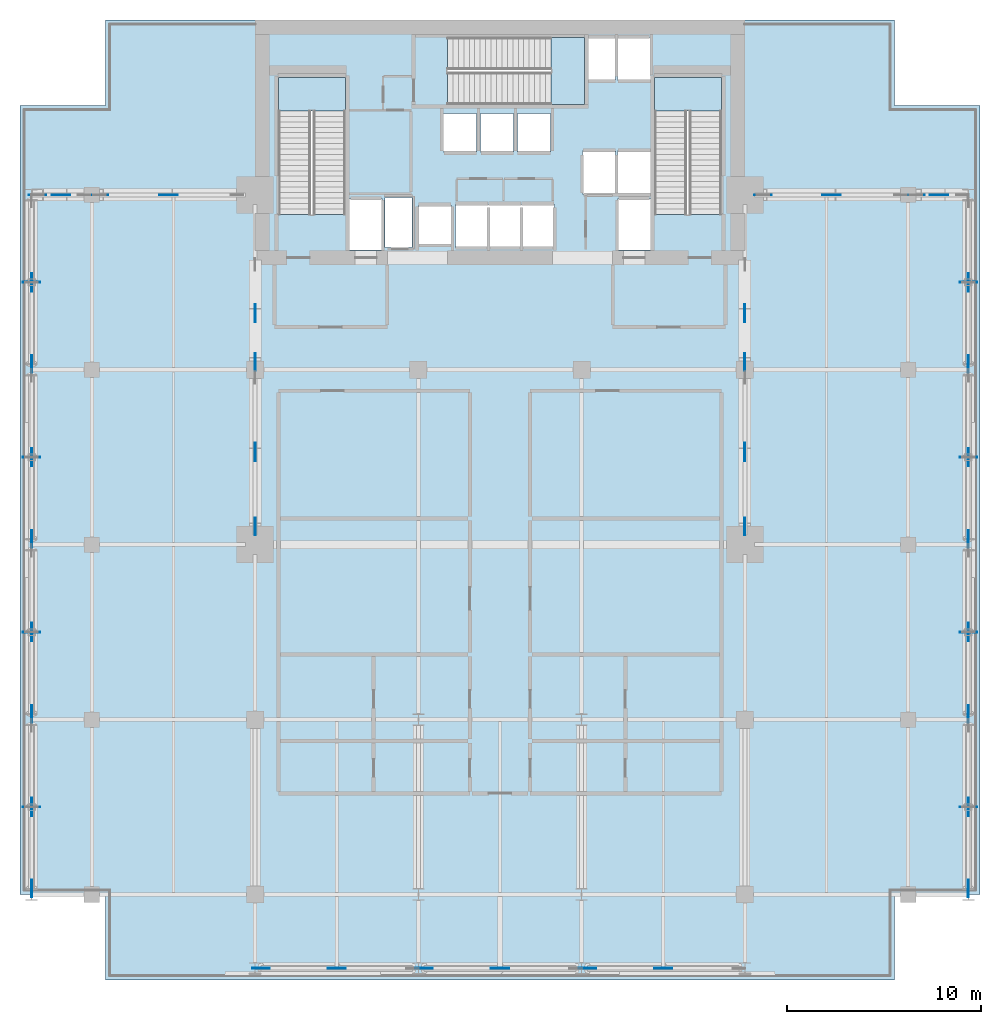
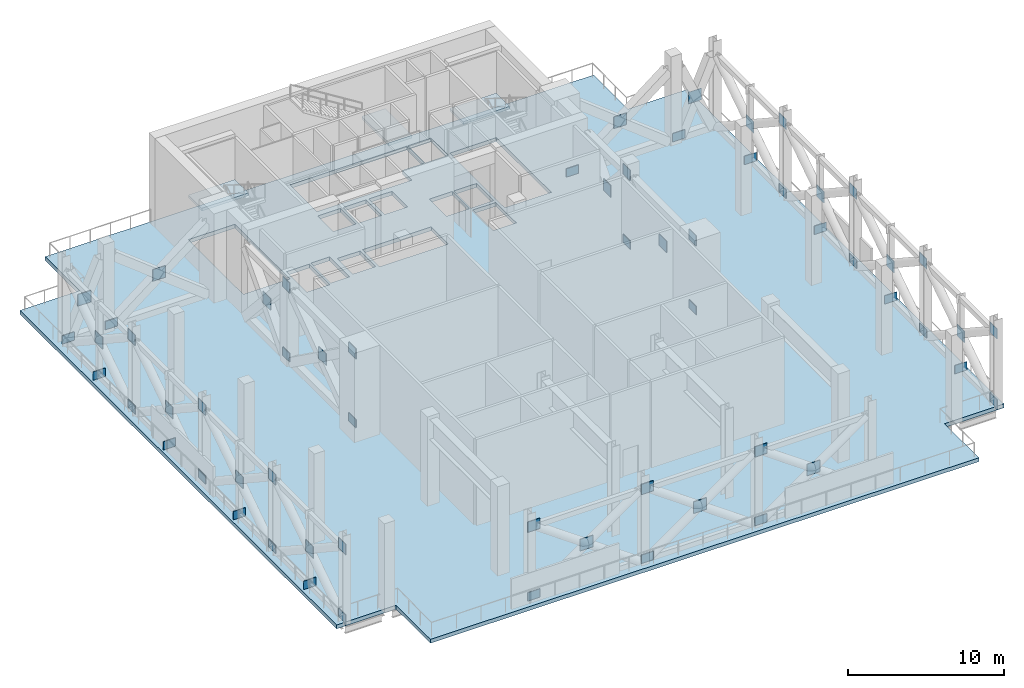
# One storey, part 5 of 14: 61 plates, 4 slabs, 3 elements without a shape of their own.
"""IFC4 building model written with IfcOpenShell, lengths in metres."""

from ifc_helpers import new_model, si_unit, direction, frame, origin, origin_2d, place, context, subcontext, project, spatial, polyline, rectangle, outline, extrude, material, layer, layer_set, type_object, element, aggregate, save


model = new_model("IFC4")

# Units and contexts
model_context = context("Model", 3, precision=1e-05, world=origin(), true_north=direction((0.0, 1.0)))
body_context = subcontext(model_context, "Body", "Model", "MODEL_VIEW")
ifc_project = project(units=[si_unit("LENGTHUNIT", "METRE"), si_unit("AREAUNIT", "SQUARE_METRE"), si_unit("VOLUMEUNIT", "CUBIC_METRE"), si_unit("PLANEANGLEUNIT", "RADIAN"), si_unit("MASSUNIT", "GRAM", prefix="KILO")], contexts=[model_context])

# Site, building, storey
site_placement = place(None, origin())
site = spatial("IfcSite", under=ifc_project, at=site_placement, CompositionType="ELEMENT")
building_placement = place(site_placement, origin())
building = spatial("IfcBuilding", under=site, at=building_placement, Name="Maruvema Waterfront Hotel and Observation Tower", CompositionType="ELEMENT")
storey_placement = place(building_placement, frame((0.0, 0.0, 227.5)))
storey = spatial("IfcBuildingStorey", under=building, at=storey_placement, Name="L56", CompositionType="ELEMENT", Elevation=227.5)

# Slab
ifc_material_1 = material(Name="Concrete C50/60", Category="concrete")
ifc_layer_1 = layer(ifc_material_1, 0.300048828125, Name="Reinforced Concrete Floor Slab 300 mm")
ifc_layer_set_1 = layer_set([ifc_layer_1], Name="Concrete C50/60")
slab_type_1 = type_object("IfcSlabType", Name="Reinforced Concrete Floor Slab 300 mm", PredefinedType="FLOOR", material=ifc_layer_set_1)
slab_1_placement = place(storey_placement, frame((0.0, 0.0, -0.300048828125)))
element("IfcSlab", 1, at=slab_1_placement, inside=storey, type_object=slab_type_1, Name="L56 Structural Floor Slab", PredefinedType="FLOOR", context=body_context, shape_type="SweptSolid", body=[
    extrude(outline(polyline([(17.5, 4.60009765625), (58.10009765625, 4.60009765625), (58.10009765625, 9.0), (62.5, 9.0), (62.5, 49.60009765625), (58.10009765625, 49.60009765625), (58.10009765625, 54.0), (17.5, 54.0), (17.5, 49.60009765625), (13.10009765625, 49.60009765625), (13.10009765625, 9.0), (17.5, 9.0), (17.5, 4.60009765625)]), holes=[polyline([(26.39990234375, 44.00048828125), (26.39990234375, 51.050048828125), (29.85009765625, 51.050048828125), (29.85009765625, 44.00048828125), (26.39990234375, 44.00048828125)]), polyline([(30.050048828125, 44.800048828125), (31.75, 44.800048828125), (31.75, 42.169921875), (30.050048828125, 42.169921875), (30.050048828125, 44.800048828125)]), polyline([(31.8798828125, 44.860107421875), (33.280029296875, 44.860107421875), (33.280029296875, 42.2900390625), (31.8798828125, 42.2900390625), (31.8798828125, 44.860107421875)]), polyline([(33.60009765625, 44.449951171875), (35.300048828125, 44.449951171875), (35.300048828125, 42.449951171875), (33.60009765625, 42.449951171875), (33.60009765625, 44.449951171875)]), polyline([(34.89990234375, 49.199951171875), (36.60009765625, 49.199951171875), (36.60009765625, 47.199951171875), (34.89990234375, 47.199951171875), (34.89990234375, 49.199951171875)]), polyline([(36.800048828125, 49.199951171875), (38.5, 49.199951171875), (38.5, 47.199951171875), (36.800048828125, 47.199951171875), (36.800048828125, 49.199951171875)]), polyline([(35.5, 42.300048828125), (35.5, 44.5), (40.60009765625, 44.5), (40.60009765625, 42.300048828125), (35.5, 42.300048828125)]), polyline([(35.1005859375, 53.10009765625), (43.75, 53.10009765625), (43.75, 50.89990234375), (42.14990234375, 50.89990234375), (42.14990234375, 49.64990234375), (35.1005859375, 49.64990234375), (35.1005859375, 53.10009765625)]), polyline([(38.699951171875, 49.199951171875), (40.39990234375, 49.199951171875), (40.39990234375, 47.199951171875), (38.699951171875, 47.199951171875), (38.699951171875, 49.199951171875)]), polyline([(42.050048828125, 47.25), (43.75, 47.25), (43.75, 45.050048828125), (42.050048828125, 45.050048828125), (42.050048828125, 47.25)]), polyline([(43.85009765625, 44.800048828125), (45.550048828125, 44.800048828125), (45.550048828125, 42.169921875), (43.85009765625, 42.169921875), (43.85009765625, 44.800048828125)]), polyline([(43.85009765625, 47.25), (45.550048828125, 47.25), (45.550048828125, 45.050048828125), (43.85009765625, 45.050048828125), (43.85009765625, 47.25)]), polyline([(45.550048828125, 53.10009765625), (45.550048828125, 50.89990234375), (43.85009765625, 50.89990234375), (43.85009765625, 53.10009765625), (45.550048828125, 53.10009765625)]), polyline([(45.75, 44.00048828125), (45.75, 51.050048828125), (49.199951171875, 51.050048828125), (49.199951171875, 44.00048828125), (45.75, 44.00048828125)])]), origin(), (0.0, 0.0, 1.0), 0.300048828125),
])

# Stair, slab
ifc_material_2 = material(Name="Concrete C50/60", Category="concrete")
stair_type = type_object("IfcStairType", Name="Dogleg Exit Stair 1650 mm (40R x 175.0 mm)", PredefinedType="HALF_TURN_STAIR", material=ifc_material_2)
stair_1_placement = place(storey_placement, origin())
stair_1 = element("IfcStair", 2, at=stair_1_placement, inside=storey, type_object=stair_type, Name="L56 ST-01", PredefinedType="HALF_TURN_STAIR")
ifc_material_3 = material(Name="Concrete C50/60", Category="concrete")
ifc_layer_2 = layer(ifc_material_3, 0.219970703125, Name="Stair Concrete Landing Slab 220 mm")
ifc_layer_set_2 = layer_set([ifc_layer_2], Name="Concrete C50/60")
slab_type_2 = type_object("IfcSlabType", Name="Stair Concrete Landing Slab 220 mm", PredefinedType="LANDING", material=ifc_layer_set_2)
slab_2_placement = place(storey_placement, frame((0.0, 0.0, 3.280029296875)))
slab_2 = element("IfcSlab", 3, at=slab_2_placement, type_object=slab_type_2, Name="ST-01 landing 1", PredefinedType="LANDING", context=body_context, shape_type="SweptSolid", body=[
    extrude(outline(polyline([(29.85009765625, 49.320068359375), (29.85009765625, 51.050048828125), (26.39990234375, 51.050048828125), (26.39990234375, 49.320068359375), (29.85009765625, 49.320068359375)])), origin(), (0.0, 0.0, 1.0), 0.219970703125),
])
aggregate(stair_1, [slab_2])

stair_2_placement = place(storey_placement, origin())
stair_2 = element("IfcStair", 4, at=stair_2_placement, inside=storey, type_object=stair_type, Name="L56 ST-02", PredefinedType="HALF_TURN_STAIR")
slab_3_placement = place(storey_placement, frame((0.0, 0.0, 3.280029296875)))
slab_3 = element("IfcSlab", 5, at=slab_3_placement, type_object=slab_type_2, Name="ST-02 landing 1", PredefinedType="LANDING", context=body_context, shape_type="SweptSolid", body=[
    extrude(outline(polyline([(40.419921875, 49.64990234375), (42.14990234375, 49.64990234375), (42.14990234375, 53.10009765625), (40.419921875, 53.10009765625), (40.419921875, 49.64990234375)])), origin(), (0.0, 0.0, 1.0), 0.219970703125),
])
aggregate(stair_2, [slab_3])

stair_3_placement = place(storey_placement, origin())
stair_3 = element("IfcStair", 6, at=stair_3_placement, inside=storey, type_object=stair_type, Name="L56 ST-03", PredefinedType="HALF_TURN_STAIR")
slab_4_placement = place(storey_placement, frame((0.0, 0.0, 3.280029296875)))
slab_4 = element("IfcSlab", 7, at=slab_4_placement, type_object=slab_type_2, Name="ST-03 landing 1", PredefinedType="LANDING", context=body_context, shape_type="SweptSolid", body=[
    extrude(outline(polyline([(49.199951171875, 49.320068359375), (49.199951171875, 51.050048828125), (45.75, 51.050048828125), (45.75, 49.320068359375), (49.199951171875, 49.320068359375)])), origin(), (0.0, 0.0, 1.0), 0.219970703125),
])
aggregate(stair_3, [slab_4])

# Plates
ifc_material_4 = material(Name="Steel ABNT NBR 7007 AR 415 (ASTM A572 Grade 50)", Category="steel")
ifc_layer_3 = layer(ifc_material_4, 0.0400390625, Name="Structural Truss Node Gusset Plate 40 mm")
ifc_layer_set_3 = layer_set([ifc_layer_3], Name="Steel ABNT NBR 7007 AR 415 (ASTM A572 Grade 50)")
plate_type = type_object("IfcPlateType", Name="Structural Truss Node Gusset Plate 40 mm", PredefinedType="USERDEFINED", material=ifc_layer_set_3)
for number, where, z_axis, x_axis, name in (
    (8, (25.199951171875, 27.929931640625, -0.14990234375), (0.0, 0.0, 1.0), (0.0, 1.0, 0.0), "L56 Outrigger Truss Bottom Chord W1 Node Plate 1"),
    (9, (25.199951171875, 27.929931640625, 5.3798828125), (0.0, 0.0, 1.0), (0.0, 1.0, 0.0), "L56 Outrigger Truss Top Chord W1 Node Plate 1"),
):
    element("IfcPlate", number, at=place(storey_placement, frame(where, z_axis=z_axis, x_axis=x_axis)), inside=storey, type_object=plate_type, Name=name, ObjectType="GUSSET_PLATE", PredefinedType="USERDEFINED", context=body_context, shape_type="SweptSolid", body=[
        extrude(rectangle(XDim=0.89990234375, YDim=0.0400390625, at=origin_2d()), origin(), (0.0, 0.0, 1.0), 0.800048828125),
    ])
plate_1_placement = place(storey_placement, frame((25.199951171875, 31.764892578125, 2.56494140625), z_axis=(0.0, 0.0, 1.0), x_axis=(0.0, -1.0, 0.0)))
element("IfcPlate", 10, at=plate_1_placement, inside=storey, type_object=plate_type, Name="L56 Outrigger Truss Diagonal W1 Crossing Gusset Node Plate", ObjectType="GUSSET_PLATE", PredefinedType="USERDEFINED", context=body_context, shape_type="SweptSolid", body=[
    extrude(rectangle(XDim=0.949951171875, YDim=0.0400390625, at=origin_2d()), origin(), (0.0, 0.0, 1.0), 0.89990234375),
])
for number, where, z_axis, x_axis, name in (
    (11, (25.199951171875, 36.39990234375, -0.14990234375), (0.0, 0.0, 1.0), (0.0, 1.0, 0.0), "L56 Outrigger Truss Bottom Chord W2 Node Plate 1"),
    (12, (25.199951171875, 36.39990234375, 5.3798828125), (0.0, 0.0, 1.0), (0.0, 1.0, 0.0), "L56 Outrigger Truss Top Chord W2 Node Plate 1"),
):
    element("IfcPlate", number, at=place(storey_placement, frame(where, z_axis=z_axis, x_axis=x_axis)), inside=storey, type_object=plate_type, Name=name, ObjectType="GUSSET_PLATE", PredefinedType="USERDEFINED", context=body_context, shape_type="SweptSolid", body=[
        extrude(rectangle(XDim=0.89990234375, YDim=0.0400390625, at=origin_2d()), origin(), (0.0, 0.0, 1.0), 0.800048828125),
    ])
plate_2_placement = place(storey_placement, frame((25.199951171875, 38.909912109375, 2.56494140625), z_axis=(0.0, 0.0, 1.0), x_axis=(0.0, -1.0, 0.0)))
element("IfcPlate", 13, at=plate_2_placement, inside=storey, type_object=plate_type, Name="L56 Outrigger Truss Diagonal W2 Crossing Gusset Node Plate", ObjectType="GUSSET_PLATE", PredefinedType="USERDEFINED", context=body_context, shape_type="SweptSolid", body=[
    extrude(rectangle(XDim=0.949951171875, YDim=0.0400390625, at=origin_2d()), origin(), (0.0, 0.0, 1.0), 0.89990234375),
])
for number, where, z_axis, x_axis, name in (
    (14, (50.39990234375, 27.929931640625, -0.14990234375), (0.0, 0.0, 1.0), (0.0, 1.0, 0.0), "L56 Outrigger Truss Bottom Chord E1 Node Plate 1"),
    (15, (50.39990234375, 27.929931640625, 5.3798828125), (0.0, 0.0, 1.0), (0.0, 1.0, 0.0), "L56 Outrigger Truss Top Chord E1 Node Plate 1"),
):
    element("IfcPlate", number, at=place(storey_placement, frame(where, z_axis=z_axis, x_axis=x_axis)), inside=storey, type_object=plate_type, Name=name, ObjectType="GUSSET_PLATE", PredefinedType="USERDEFINED", context=body_context, shape_type="SweptSolid", body=[
        extrude(rectangle(XDim=0.89990234375, YDim=0.0400390625, at=origin_2d()), origin(), (0.0, 0.0, 1.0), 0.800048828125),
    ])
plate_3_placement = place(storey_placement, frame((50.39990234375, 31.764892578125, 2.56494140625), z_axis=(0.0, 0.0, 1.0), x_axis=(0.0, -1.0, 0.0)))
element("IfcPlate", 16, at=plate_3_placement, inside=storey, type_object=plate_type, Name="L56 Outrigger Truss Diagonal E1 Crossing Gusset Node Plate", ObjectType="GUSSET_PLATE", PredefinedType="USERDEFINED", context=body_context, shape_type="SweptSolid", body=[
    extrude(rectangle(XDim=0.949951171875, YDim=0.0400390625, at=origin_2d()), origin(), (0.0, 0.0, 1.0), 0.89990234375),
])
for number, where, z_axis, x_axis, name in (
    (17, (50.39990234375, 36.39990234375, -0.14990234375), (0.0, 0.0, 1.0), (0.0, 1.0, 0.0), "L56 Outrigger Truss Bottom Chord E2 Node Plate 1"),
    (18, (50.39990234375, 36.39990234375, 5.3798828125), (0.0, 0.0, 1.0), (0.0, 1.0, 0.0), "L56 Outrigger Truss Top Chord E2 Node Plate 1"),
):
    element("IfcPlate", number, at=place(storey_placement, frame(where, z_axis=z_axis, x_axis=x_axis)), inside=storey, type_object=plate_type, Name=name, ObjectType="GUSSET_PLATE", PredefinedType="USERDEFINED", context=body_context, shape_type="SweptSolid", body=[
        extrude(rectangle(XDim=0.89990234375, YDim=0.0400390625, at=origin_2d()), origin(), (0.0, 0.0, 1.0), 0.800048828125),
    ])
plate_4_placement = place(storey_placement, frame((50.39990234375, 38.909912109375, 2.56494140625), z_axis=(0.0, 0.0, 1.0), x_axis=(0.0, -1.0, 0.0)))
element("IfcPlate", 19, at=plate_4_placement, inside=storey, type_object=plate_type, Name="L56 Outrigger Truss Diagonal E2 Crossing Gusset Node Plate", ObjectType="GUSSET_PLATE", PredefinedType="USERDEFINED", context=body_context, shape_type="SweptSolid", body=[
    extrude(rectangle(XDim=0.949951171875, YDim=0.0400390625, at=origin_2d()), origin(), (0.0, 0.0, 1.0), 0.89990234375),
])
plate_5_placement = place(storey_placement, frame((14.0, 45.0, -0.14990234375), z_axis=(0.0, 0.0, 1.0), x_axis=(1.0, 0.0, 0.0)))
element("IfcPlate", 20, at=plate_5_placement, inside=storey, type_object=plate_type, Name="L56 Outrigger Wing Bottom Chord W1 Node Plate 1", ObjectType="GUSSET_PLATE", PredefinedType="USERDEFINED", context=body_context, shape_type="SweptSolid", body=[
    extrude(rectangle(XDim=0.89990234375, YDim=0.0400390625, at=origin_2d()), origin(), (0.0, 0.0, 1.0), 0.800048828125),
])
plate_6_placement = place(storey_placement, frame((15.199951171875, 45.0, 2.56494140625), z_axis=(0.0, 0.0, 1.0), x_axis=(-1.0, 0.0, 0.0)))
element("IfcPlate", 21, at=plate_6_placement, inside=storey, type_object=plate_type, Name="L56 Outrigger Wing Diagonal W1 Crossing Gusset Node Plate", ObjectType="GUSSET_PLATE", PredefinedType="USERDEFINED", context=body_context, shape_type="SweptSolid", body=[
    extrude(rectangle(XDim=0.949951171875, YDim=0.0400390625, at=origin_2d()), origin(), (0.0, 0.0, 1.0), 0.89990234375),
])
plate_7_placement = place(storey_placement, frame((17.199951171875, 45.0, -0.14990234375), z_axis=(0.0, 0.0, 1.0), x_axis=(1.0, 0.0, 0.0)))
element("IfcPlate", 22, at=plate_7_placement, inside=storey, type_object=plate_type, Name="L56 Outrigger Wing Bottom Chord W2 Node Plate 1", ObjectType="GUSSET_PLATE", PredefinedType="USERDEFINED", context=body_context, shape_type="SweptSolid", body=[
    extrude(rectangle(XDim=0.89990234375, YDim=0.0400390625, at=origin_2d()), origin(), (0.0, 0.0, 1.0), 0.800048828125),
])
plate_8_placement = place(storey_placement, frame((20.735107421875, 45.0, 2.56494140625), z_axis=(0.0, 0.0, 1.0), x_axis=(-1.0, 0.0, 0.0)))
element("IfcPlate", 23, at=plate_8_placement, inside=storey, type_object=plate_type, Name="L56 Outrigger Wing Diagonal W2 Crossing Gusset Node Plate", ObjectType="GUSSET_PLATE", PredefinedType="USERDEFINED", context=body_context, shape_type="SweptSolid", body=[
    extrude(rectangle(XDim=0.949951171875, YDim=0.0400390625, at=origin_2d()), origin(), (0.0, 0.0, 1.0), 0.89990234375),
])
plate_9_placement = place(storey_placement, frame((51.330078125, 45.0, -0.14990234375), z_axis=(0.0, 0.0, 1.0), x_axis=(1.0, 0.0, 0.0)))
element("IfcPlate", 24, at=plate_9_placement, inside=storey, type_object=plate_type, Name="L56 Outrigger Wing Bottom Chord E1 Node Plate 1", ObjectType="GUSSET_PLATE", PredefinedType="USERDEFINED", context=body_context, shape_type="SweptSolid", body=[
    extrude(rectangle(XDim=0.89990234375, YDim=0.0400390625, at=origin_2d()), origin(), (0.0, 0.0, 1.0), 0.800048828125),
])
plate_10_placement = place(storey_placement, frame((54.864990234375, 45.0, 2.56494140625), z_axis=(0.0, 0.0, 1.0), x_axis=(-1.0, 0.0, 0.0)))
element("IfcPlate", 25, at=plate_10_placement, inside=storey, type_object=plate_type, Name="L56 Outrigger Wing Diagonal E1 Crossing Gusset Node Plate", ObjectType="GUSSET_PLATE", PredefinedType="USERDEFINED", context=body_context, shape_type="SweptSolid", body=[
    extrude(rectangle(XDim=0.949951171875, YDim=0.0400390625, at=origin_2d()), origin(), (0.0, 0.0, 1.0), 0.89990234375),
])
plate_11_placement = place(storey_placement, frame((59.199951171875, 45.0, -0.14990234375), z_axis=(0.0, 0.0, 1.0), x_axis=(1.0, 0.0, 0.0)))
element("IfcPlate", 26, at=plate_11_placement, inside=storey, type_object=plate_type, Name="L56 Outrigger Wing Bottom Chord E2 Node Plate 1", ObjectType="GUSSET_PLATE", PredefinedType="USERDEFINED", context=body_context, shape_type="SweptSolid", body=[
    extrude(rectangle(XDim=0.89990234375, YDim=0.0400390625, at=origin_2d()), origin(), (0.0, 0.0, 1.0), 0.800048828125),
])
plate_12_placement = place(storey_placement, frame((60.39990234375, 45.0, 2.56494140625), z_axis=(0.0, 0.0, 1.0), x_axis=(-1.0, 0.0, 0.0)))
element("IfcPlate", 27, at=plate_12_placement, inside=storey, type_object=plate_type, Name="L56 Outrigger Wing Diagonal E2 Crossing Gusset Node Plate", ObjectType="GUSSET_PLATE", PredefinedType="USERDEFINED", context=body_context, shape_type="SweptSolid", body=[
    extrude(rectangle(XDim=0.949951171875, YDim=0.0400390625, at=origin_2d()), origin(), (0.0, 0.0, 1.0), 0.89990234375),
])
for number, where, z_axis, x_axis, name in (
    (28, (13.699951171875, 9.300048828125, -0.14990234375), (0.0, 0.0, 1.0), (0.0, 1.0, 0.0), "L56 Perimeter Belt Truss Chord W1 Node Plate 1"),
    (29, (13.699951171875, 9.300048828125, 5.3798828125), (0.0, 0.0, 1.0), (0.0, 1.0, 0.0), "L56 Perimeter Belt Truss Top Chord W1 Node Plate 1"),
    (30, (13.699951171875, 13.5, -0.14990234375), (0.0, 0.0, 1.0), (1.0, 0.0, 0.0), "L56 Perimeter Belt Truss Post W1 Node Plate 1"),
):
    element("IfcPlate", number, at=place(storey_placement, frame(where, z_axis=z_axis, x_axis=x_axis)), inside=storey, type_object=plate_type, Name=name, ObjectType="GUSSET_PLATE", PredefinedType="USERDEFINED", context=body_context, shape_type="SweptSolid", body=[
        extrude(rectangle(XDim=0.89990234375, YDim=0.0400390625, at=origin_2d()), origin(), (0.0, 0.0, 1.0), 0.800048828125),
    ])
plate_13_placement = place(storey_placement, frame((13.699951171875, 13.5, 2.56494140625), z_axis=(0.0, 0.0, 1.0), x_axis=(0.0, -1.0, 0.0)))
element("IfcPlate", 31, at=plate_13_placement, inside=storey, type_object=plate_type, Name="L56 Perimeter Belt Truss Diagonal W1 Crossing Gusset Node Plate", ObjectType="GUSSET_PLATE", PredefinedType="USERDEFINED", context=body_context, shape_type="SweptSolid", body=[
    extrude(rectangle(XDim=0.949951171875, YDim=0.0400390625, at=origin_2d()), origin(), (0.0, 0.0, 1.0), 0.89990234375),
])
for number, where, z_axis, x_axis, name in (
    (32, (13.699951171875, 18.300048828125, -0.14990234375), (0.0, 0.0, 1.0), (0.0, 1.0, 0.0), "L56 Perimeter Belt Truss Chord W2 Node Plate 1"),
    (33, (13.699951171875, 18.300048828125, 5.3798828125), (0.0, 0.0, 1.0), (0.0, 1.0, 0.0), "L56 Perimeter Belt Truss Top Chord W2 Node Plate 1"),
    (34, (13.699951171875, 22.5, -0.14990234375), (0.0, 0.0, 1.0), (1.0, 0.0, 0.0), "L56 Perimeter Belt Truss Post W2 Node Plate 1"),
):
    element("IfcPlate", number, at=place(storey_placement, frame(where, z_axis=z_axis, x_axis=x_axis)), inside=storey, type_object=plate_type, Name=name, ObjectType="GUSSET_PLATE", PredefinedType="USERDEFINED", context=body_context, shape_type="SweptSolid", body=[
        extrude(rectangle(XDim=0.89990234375, YDim=0.0400390625, at=origin_2d()), origin(), (0.0, 0.0, 1.0), 0.800048828125),
    ])
plate_14_placement = place(storey_placement, frame((13.699951171875, 22.5, 2.56494140625), z_axis=(0.0, 0.0, 1.0), x_axis=(0.0, -1.0, 0.0)))
element("IfcPlate", 35, at=plate_14_placement, inside=storey, type_object=plate_type, Name="L56 Perimeter Belt Truss Diagonal W2 Crossing Gusset Node Plate", ObjectType="GUSSET_PLATE", PredefinedType="USERDEFINED", context=body_context, shape_type="SweptSolid", body=[
    extrude(rectangle(XDim=0.949951171875, YDim=0.0400390625, at=origin_2d()), origin(), (0.0, 0.0, 1.0), 0.89990234375),
])
for number, where, z_axis, x_axis, name in (
    (36, (13.699951171875, 27.300048828125, -0.14990234375), (0.0, 0.0, 1.0), (0.0, 1.0, 0.0), "L56 Perimeter Belt Truss Chord W3 Node Plate 1"),
    (37, (13.699951171875, 27.300048828125, 5.3798828125), (0.0, 0.0, 1.0), (0.0, 1.0, 0.0), "L56 Perimeter Belt Truss Top Chord W3 Node Plate 1"),
    (38, (13.699951171875, 31.5, -0.14990234375), (0.0, 0.0, 1.0), (1.0, 0.0, 0.0), "L56 Perimeter Belt Truss Post W3 Node Plate 1"),
):
    element("IfcPlate", number, at=place(storey_placement, frame(where, z_axis=z_axis, x_axis=x_axis)), inside=storey, type_object=plate_type, Name=name, ObjectType="GUSSET_PLATE", PredefinedType="USERDEFINED", context=body_context, shape_type="SweptSolid", body=[
        extrude(rectangle(XDim=0.89990234375, YDim=0.0400390625, at=origin_2d()), origin(), (0.0, 0.0, 1.0), 0.800048828125),
    ])
plate_15_placement = place(storey_placement, frame((13.699951171875, 31.5, 2.56494140625), z_axis=(0.0, 0.0, 1.0), x_axis=(0.0, -1.0, 0.0)))
element("IfcPlate", 39, at=plate_15_placement, inside=storey, type_object=plate_type, Name="L56 Perimeter Belt Truss Diagonal W3 Crossing Gusset Node Plate", ObjectType="GUSSET_PLATE", PredefinedType="USERDEFINED", context=body_context, shape_type="SweptSolid", body=[
    extrude(rectangle(XDim=0.949951171875, YDim=0.0400390625, at=origin_2d()), origin(), (0.0, 0.0, 1.0), 0.89990234375),
])
for number, where, z_axis, x_axis, name in (
    (40, (13.699951171875, 36.300048828125, -0.14990234375), (0.0, 0.0, 1.0), (0.0, 1.0, 0.0), "L56 Perimeter Belt Truss Chord W4 Node Plate 1"),
    (41, (13.699951171875, 36.300048828125, 5.3798828125), (0.0, 0.0, 1.0), (0.0, 1.0, 0.0), "L56 Perimeter Belt Truss Top Chord W4 Node Plate 1"),
    (42, (13.699951171875, 40.5, -0.14990234375), (0.0, 0.0, 1.0), (1.0, 0.0, 0.0), "L56 Perimeter Belt Truss Post W4 Node Plate 1"),
):
    element("IfcPlate", number, at=place(storey_placement, frame(where, z_axis=z_axis, x_axis=x_axis)), inside=storey, type_object=plate_type, Name=name, ObjectType="GUSSET_PLATE", PredefinedType="USERDEFINED", context=body_context, shape_type="SweptSolid", body=[
        extrude(rectangle(XDim=0.89990234375, YDim=0.0400390625, at=origin_2d()), origin(), (0.0, 0.0, 1.0), 0.800048828125),
    ])
plate_16_placement = place(storey_placement, frame((13.699951171875, 40.5, 2.56494140625), z_axis=(0.0, 0.0, 1.0), x_axis=(0.0, -1.0, 0.0)))
element("IfcPlate", 43, at=plate_16_placement, inside=storey, type_object=plate_type, Name="L56 Perimeter Belt Truss Diagonal W4 Crossing Gusset Node Plate", ObjectType="GUSSET_PLATE", PredefinedType="USERDEFINED", context=body_context, shape_type="SweptSolid", body=[
    extrude(rectangle(XDim=0.949951171875, YDim=0.0400390625, at=origin_2d()), origin(), (0.0, 0.0, 1.0), 0.89990234375),
])
for number, where, z_axis, x_axis, name in (
    (44, (61.89990234375, 9.300048828125, -0.14990234375), (0.0, 0.0, 1.0), (0.0, 1.0, 0.0), "L56 Perimeter Belt Truss Chord E5 Node Plate 1"),
    (45, (61.89990234375, 9.300048828125, 5.3798828125), (0.0, 0.0, 1.0), (0.0, 1.0, 0.0), "L56 Perimeter Belt Truss Top Chord E5 Node Plate 1"),
    (46, (61.89990234375, 13.5, -0.14990234375), (0.0, 0.0, 1.0), (1.0, 0.0, 0.0), "L56 Perimeter Belt Truss Post E5 Node Plate 1"),
):
    element("IfcPlate", number, at=place(storey_placement, frame(where, z_axis=z_axis, x_axis=x_axis)), inside=storey, type_object=plate_type, Name=name, ObjectType="GUSSET_PLATE", PredefinedType="USERDEFINED", context=body_context, shape_type="SweptSolid", body=[
        extrude(rectangle(XDim=0.89990234375, YDim=0.0400390625, at=origin_2d()), origin(), (0.0, 0.0, 1.0), 0.800048828125),
    ])
plate_17_placement = place(storey_placement, frame((61.89990234375, 13.5, 2.56494140625), z_axis=(0.0, 0.0, 1.0), x_axis=(0.0, -1.0, 0.0)))
element("IfcPlate", 47, at=plate_17_placement, inside=storey, type_object=plate_type, Name="L56 Perimeter Belt Truss Diagonal E5 Crossing Gusset Node Plate", ObjectType="GUSSET_PLATE", PredefinedType="USERDEFINED", context=body_context, shape_type="SweptSolid", body=[
    extrude(rectangle(XDim=0.949951171875, YDim=0.0400390625, at=origin_2d()), origin(), (0.0, 0.0, 1.0), 0.89990234375),
])
for number, where, z_axis, x_axis, name in (
    (48, (61.89990234375, 18.300048828125, -0.14990234375), (0.0, 0.0, 1.0), (0.0, 1.0, 0.0), "L56 Perimeter Belt Truss Chord E6 Node Plate 1"),
    (49, (61.89990234375, 18.300048828125, 5.3798828125), (0.0, 0.0, 1.0), (0.0, 1.0, 0.0), "L56 Perimeter Belt Truss Top Chord E6 Node Plate 1"),
    (50, (61.89990234375, 22.5, -0.14990234375), (0.0, 0.0, 1.0), (1.0, 0.0, 0.0), "L56 Perimeter Belt Truss Post E6 Node Plate 1"),
):
    element("IfcPlate", number, at=place(storey_placement, frame(where, z_axis=z_axis, x_axis=x_axis)), inside=storey, type_object=plate_type, Name=name, ObjectType="GUSSET_PLATE", PredefinedType="USERDEFINED", context=body_context, shape_type="SweptSolid", body=[
        extrude(rectangle(XDim=0.89990234375, YDim=0.0400390625, at=origin_2d()), origin(), (0.0, 0.0, 1.0), 0.800048828125),
    ])
plate_18_placement = place(storey_placement, frame((61.89990234375, 22.5, 2.56494140625), z_axis=(0.0, 0.0, 1.0), x_axis=(0.0, -1.0, 0.0)))
element("IfcPlate", 51, at=plate_18_placement, inside=storey, type_object=plate_type, Name="L56 Perimeter Belt Truss Diagonal E6 Crossing Gusset Node Plate", ObjectType="GUSSET_PLATE", PredefinedType="USERDEFINED", context=body_context, shape_type="SweptSolid", body=[
    extrude(rectangle(XDim=0.949951171875, YDim=0.0400390625, at=origin_2d()), origin(), (0.0, 0.0, 1.0), 0.89990234375),
])
for number, where, z_axis, x_axis, name in (
    (52, (61.89990234375, 27.300048828125, -0.14990234375), (0.0, 0.0, 1.0), (0.0, 1.0, 0.0), "L56 Perimeter Belt Truss Chord E7 Node Plate 1"),
    (53, (61.89990234375, 27.300048828125, 5.3798828125), (0.0, 0.0, 1.0), (0.0, 1.0, 0.0), "L56 Perimeter Belt Truss Top Chord E7 Node Plate 1"),
    (54, (61.89990234375, 31.5, -0.14990234375), (0.0, 0.0, 1.0), (1.0, 0.0, 0.0), "L56 Perimeter Belt Truss Post E7 Node Plate 1"),
):
    element("IfcPlate", number, at=place(storey_placement, frame(where, z_axis=z_axis, x_axis=x_axis)), inside=storey, type_object=plate_type, Name=name, ObjectType="GUSSET_PLATE", PredefinedType="USERDEFINED", context=body_context, shape_type="SweptSolid", body=[
        extrude(rectangle(XDim=0.89990234375, YDim=0.0400390625, at=origin_2d()), origin(), (0.0, 0.0, 1.0), 0.800048828125),
    ])
plate_19_placement = place(storey_placement, frame((61.89990234375, 31.5, 2.56494140625), z_axis=(0.0, 0.0, 1.0), x_axis=(0.0, -1.0, 0.0)))
element("IfcPlate", 55, at=plate_19_placement, inside=storey, type_object=plate_type, Name="L56 Perimeter Belt Truss Diagonal E7 Crossing Gusset Node Plate", ObjectType="GUSSET_PLATE", PredefinedType="USERDEFINED", context=body_context, shape_type="SweptSolid", body=[
    extrude(rectangle(XDim=0.949951171875, YDim=0.0400390625, at=origin_2d()), origin(), (0.0, 0.0, 1.0), 0.89990234375),
])
for number, where, z_axis, x_axis, name in (
    (56, (61.89990234375, 36.300048828125, -0.14990234375), (0.0, 0.0, 1.0), (0.0, 1.0, 0.0), "L56 Perimeter Belt Truss Chord E8 Node Plate 1"),
    (57, (61.89990234375, 36.300048828125, 5.3798828125), (0.0, 0.0, 1.0), (0.0, 1.0, 0.0), "L56 Perimeter Belt Truss Top Chord E8 Node Plate 1"),
    (58, (61.89990234375, 40.5, -0.14990234375), (0.0, 0.0, 1.0), (1.0, 0.0, 0.0), "L56 Perimeter Belt Truss Post E8 Node Plate 1"),
):
    element("IfcPlate", number, at=place(storey_placement, frame(where, z_axis=z_axis, x_axis=x_axis)), inside=storey, type_object=plate_type, Name=name, ObjectType="GUSSET_PLATE", PredefinedType="USERDEFINED", context=body_context, shape_type="SweptSolid", body=[
        extrude(rectangle(XDim=0.89990234375, YDim=0.0400390625, at=origin_2d()), origin(), (0.0, 0.0, 1.0), 0.800048828125),
    ])
plate_20_placement = place(storey_placement, frame((61.89990234375, 40.5, 2.56494140625), z_axis=(0.0, 0.0, 1.0), x_axis=(0.0, -1.0, 0.0)))
element("IfcPlate", 59, at=plate_20_placement, inside=storey, type_object=plate_type, Name="L56 Perimeter Belt Truss Diagonal E8 Crossing Gusset Node Plate", ObjectType="GUSSET_PLATE", PredefinedType="USERDEFINED", context=body_context, shape_type="SweptSolid", body=[
    extrude(rectangle(XDim=0.949951171875, YDim=0.0400390625, at=origin_2d()), origin(), (0.0, 0.0, 1.0), 0.89990234375),
])
for number, where, z_axis, x_axis, name in (
    (60, (25.5, 5.199951171875, -0.14990234375), (0.0, 0.0, 1.0), (1.0, 0.0, 0.0), "L56 South Perimeter Belt Truss Chord 1 Node Plate 1"),
    (61, (25.5, 5.199951171875, 5.3798828125), (0.0, 0.0, 1.0), (1.0, 0.0, 0.0), "L56 South Perimeter Belt Truss Top Chord 1 Node Plate 1"),
):
    element("IfcPlate", number, at=place(storey_placement, frame(where, z_axis=z_axis, x_axis=x_axis)), inside=storey, type_object=plate_type, Name=name, ObjectType="GUSSET_PLATE", PredefinedType="USERDEFINED", context=body_context, shape_type="SweptSolid", body=[
        extrude(rectangle(XDim=0.89990234375, YDim=0.0400390625, at=origin_2d()), origin(), (0.0, 0.0, 1.0), 0.800048828125),
    ])
plate_21_placement = place(storey_placement, frame((29.39990234375, 5.199951171875, 2.56494140625), z_axis=(0.0, 0.0, 1.0), x_axis=(-1.0, 0.0, 0.0)))
element("IfcPlate", 62, at=plate_21_placement, inside=storey, type_object=plate_type, Name="L56 South Perimeter Belt Truss Diagonal 1 Crossing Gusset Node Plate", ObjectType="GUSSET_PLATE", PredefinedType="USERDEFINED", context=body_context, shape_type="SweptSolid", body=[
    extrude(rectangle(XDim=0.949951171875, YDim=0.0400390625, at=origin_2d()), origin(), (0.0, 0.0, 1.0), 0.89990234375),
])
for number, where, z_axis, x_axis, name in (
    (63, (33.89990234375, 5.199951171875, -0.14990234375), (0.0, 0.0, 1.0), (1.0, 0.0, 0.0), "L56 South Perimeter Belt Truss Chord 2 Node Plate 1"),
    (64, (33.89990234375, 5.199951171875, 5.3798828125), (0.0, 0.0, 1.0), (1.0, 0.0, 0.0), "L56 South Perimeter Belt Truss Top Chord 2 Node Plate 1"),
):
    element("IfcPlate", number, at=place(storey_placement, frame(where, z_axis=z_axis, x_axis=x_axis)), inside=storey, type_object=plate_type, Name=name, ObjectType="GUSSET_PLATE", PredefinedType="USERDEFINED", context=body_context, shape_type="SweptSolid", body=[
        extrude(rectangle(XDim=0.89990234375, YDim=0.0400390625, at=origin_2d()), origin(), (0.0, 0.0, 1.0), 0.800048828125),
    ])
plate_22_placement = place(storey_placement, frame((37.800048828125, 5.199951171875, 2.56494140625), z_axis=(0.0, 0.0, 1.0), x_axis=(-1.0, 0.0, 0.0)))
element("IfcPlate", 65, at=plate_22_placement, inside=storey, type_object=plate_type, Name="L56 South Perimeter Belt Truss Diagonal 2 Crossing Gusset Node Plate", ObjectType="GUSSET_PLATE", PredefinedType="USERDEFINED", context=body_context, shape_type="SweptSolid", body=[
    extrude(rectangle(XDim=0.949951171875, YDim=0.0400390625, at=origin_2d()), origin(), (0.0, 0.0, 1.0), 0.89990234375),
])
for number, where, z_axis, x_axis, name in (
    (66, (42.300048828125, 5.199951171875, -0.14990234375), (0.0, 0.0, 1.0), (1.0, 0.0, 0.0), "L56 South Perimeter Belt Truss Chord 3 Node Plate 1"),
    (67, (42.300048828125, 5.199951171875, 5.3798828125), (0.0, 0.0, 1.0), (1.0, 0.0, 0.0), "L56 South Perimeter Belt Truss Top Chord 3 Node Plate 1"),
):
    element("IfcPlate", number, at=place(storey_placement, frame(where, z_axis=z_axis, x_axis=x_axis)), inside=storey, type_object=plate_type, Name=name, ObjectType="GUSSET_PLATE", PredefinedType="USERDEFINED", context=body_context, shape_type="SweptSolid", body=[
        extrude(rectangle(XDim=0.89990234375, YDim=0.0400390625, at=origin_2d()), origin(), (0.0, 0.0, 1.0), 0.800048828125),
    ])
plate_23_placement = place(storey_placement, frame((46.199951171875, 5.199951171875, 2.56494140625), z_axis=(0.0, 0.0, 1.0), x_axis=(-1.0, 0.0, 0.0)))
element("IfcPlate", 68, at=plate_23_placement, inside=storey, type_object=plate_type, Name="L56 South Perimeter Belt Truss Diagonal 3 Crossing Gusset Node Plate", ObjectType="GUSSET_PLATE", PredefinedType="USERDEFINED", context=body_context, shape_type="SweptSolid", body=[
    extrude(rectangle(XDim=0.949951171875, YDim=0.0400390625, at=origin_2d()), origin(), (0.0, 0.0, 1.0), 0.89990234375),
])

save(model, "model.ifc")
